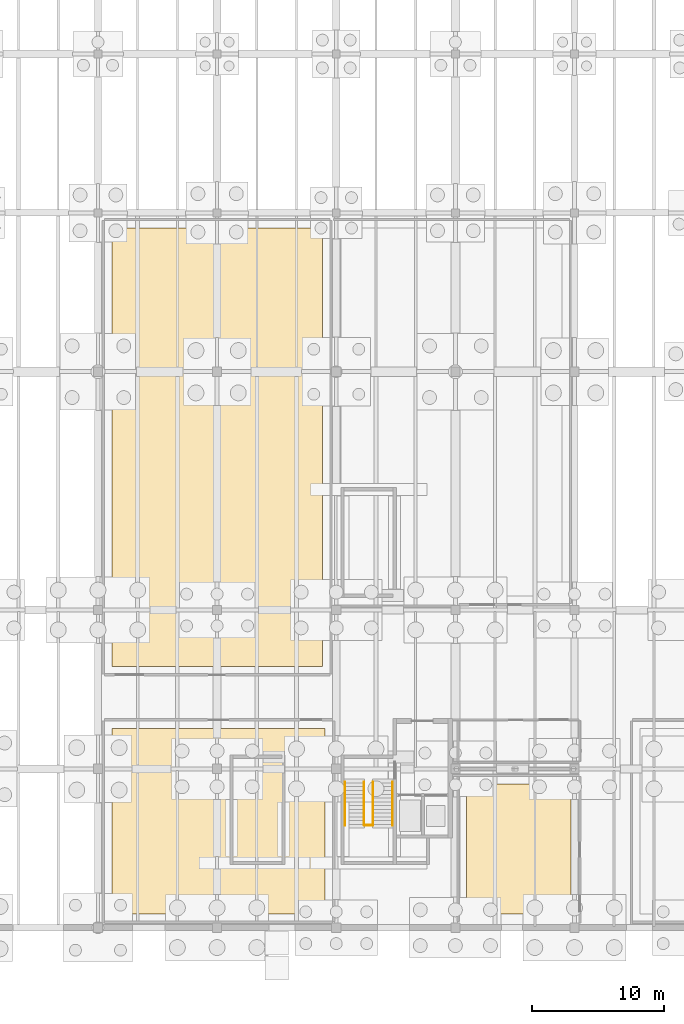
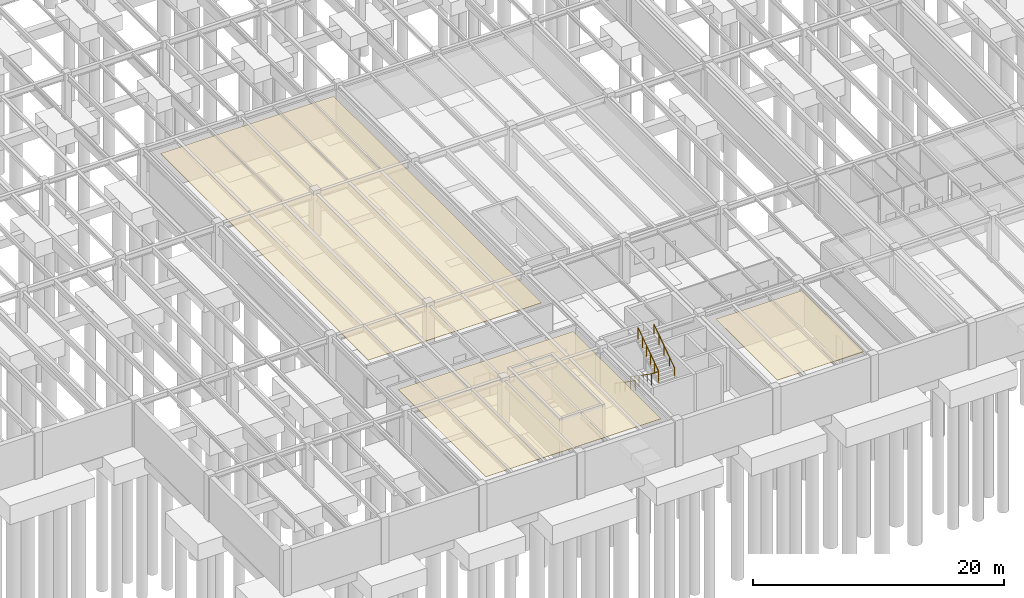
# One storey, part 36 of 40: 5 railings, 3 coverings.
"""IFC4 building model written with IfcOpenShell, lengths in metres."""

from ifc_helpers import new_model, si_unit, direction, frame, origin, origin_2d, place, context, subcontext, project, spatial, polyline, circle, outline, extrude, material, layer, layer_set, type_object, element, save


model = new_model("IFC4")

# Units and contexts
model_context = context("Model", 3, precision=1e-05, world=origin(), true_north=direction((0.0, 1.0)))
body_context = subcontext(model_context, "Body", "Model", "MODEL_VIEW")
ifc_project = project(units=[si_unit("LENGTHUNIT", "METRE"), si_unit("AREAUNIT", "SQUARE_METRE"), si_unit("VOLUMEUNIT", "CUBIC_METRE"), si_unit("PLANEANGLEUNIT", "RADIAN"), si_unit("MASSUNIT", "GRAM", prefix="KILO")], contexts=[model_context])

# Site, building, storey
site_placement = place(None, origin())
site = spatial("IfcSite", under=ifc_project, at=site_placement, CompositionType="ELEMENT")
building_placement = place(site_placement, origin())
building = spatial("IfcBuilding", under=site, at=building_placement, Name="Montelvaro Courts of Justice", CompositionType="ELEMENT")
storey_placement = place(building_placement, frame((0.0, 0.0, -4.5)))
storey = spatial("IfcBuildingStorey", under=building, at=storey_placement, Name="B01", CompositionType="ELEMENT", Elevation=-4.5)

# Coverings
ifc_material_1 = material(Name="Perforated acoustic gypsum ceiling")
ifc_layer = layer(ifc_material_1, 0.0400390625)
ifc_layer_set = layer_set([ifc_layer], Name="Perforated acoustic gypsum ceiling")
covering_type = type_object("IfcCoveringType", Name="AcousticCeiling_Court", PredefinedType="CEILING", material=ifc_layer_set)
covering_1_placement = place(storey_placement, frame((0.0, 0.0, 4.02001953125)))
element("IfcCovering", 1, at=covering_1_placement, inside=storey, type_object=covering_type, Name="Acoustic Ceiling Panel AC-01 (B01-21)", PredefinedType="CEILING", context=body_context, shape_type="SweptSolid", body=[
    extrude(outline(polyline([(37.050048828125, 52.85009765625), (52.949951171875, 52.85009765625), (52.949951171875, 19.75), (37.050048828125, 19.75), (37.050048828125, 52.85009765625)])), origin(), (0.0, 0.0, 1.0), 0.0400390625),
])
covering_2_placement = place(storey_placement, frame((0.0, 0.0, 4.02001953125)))
element("IfcCovering", 2, at=covering_2_placement, inside=storey, type_object=covering_type, Name="Acoustic Ceiling Panel AC-01 (B01-23)", PredefinedType="CEILING", context=body_context, shape_type="SweptSolid", body=[
    extrude(outline(polyline([(37.050048828125, 1.050048828125), (37.050048828125, 15.050048828125), (53.14990234375, 15.050048828125), (53.14990234375, 1.050048828125), (37.050048828125, 1.050048828125)])), origin(), (0.0, 0.0, 1.0), 0.0400390625),
])
covering_3_placement = place(storey_placement, frame((0.0, 0.0, 4.02001953125)))
element("IfcCovering", 3, at=covering_3_placement, inside=storey, type_object=covering_type, Name="Acoustic Ceiling Panel AC-01 (B01-24)", PredefinedType="CEILING", context=body_context, shape_type="SweptSolid", body=[
    extrude(outline(polyline([(63.85009765625, 1.050048828125), (63.85009765625, 10.85009765625), (71.75, 10.85009765625), (71.75, 1.050048828125), (63.85009765625, 1.050048828125)])), origin(), (0.0, 0.0, 1.0), 0.0400390625),
])

# Railings
ifc_material_2 = material(Name="Steel S355", Category="steel")
railing_type_1 = type_object("IfcRailingType", Name="InteriorGuard_1100", PredefinedType="BALUSTRADE", material=ifc_material_2)
railing_1_placement = place(storey_placement, frame((56.110107421875, 11.0, 0.0)))
element("IfcRailing", 4, at=railing_1_placement, inside=storey, type_object=railing_type_1, Name="Stair Well Guard GR-02 ST-K1-B01-F1G", PredefinedType="BALUSTRADE", context=body_context, shape_type="SweptSolid", body=[
    extrude(circle(Radius=0.02392578125, at=origin_2d()), frame((0.0, 0.0, 1.076171875), z_axis=(0.0, -0.823407228882, 0.567450910146), x_axis=(1.0, 0.0, 0.0)), (0.0, 0.0, 1.0), 3.965087890625),
    extrude(circle(Radius=0.02099609375, at=origin_2d()), origin(), (0.0, 0.0, 1.0), 1.052001953125),
    extrude(circle(Radius=0.02099609375, at=origin_2d()), frame((0.0, -0.653076171875, 0.449951171875)), (0.0, 0.0, 1.0), 1.052001953125),
    extrude(circle(Radius=0.02099609375, at=origin_2d()), frame((0.0, -1.305908203125, 0.89990234375)), (0.0, 0.0, 1.0), 1.052001953125),
    extrude(circle(Radius=0.02099609375, at=origin_2d()), frame((0.0, -1.958984375, 1.35009765625)), (0.0, 0.0, 1.0), 1.052001953125),
    extrude(circle(Radius=0.02099609375, at=origin_2d()), frame((0.0, -2.61181640625, 1.800048828125)), (0.0, 0.0, 1.0), 1.052001953125),
    extrude(circle(Radius=0.02099609375, at=origin_2d()), frame((0.0, -3.264892578125, 2.25)), (0.0, 0.0, 1.0), 1.052001953125),
])
railing_2_placement = place(storey_placement, frame((56.7900390625, 7.735107421875, 2.25)))
element("IfcRailing", 5, at=railing_2_placement, inside=storey, type_object=railing_type_1, Name="Stair Well Guard GR-02 ST-K1-B01-F2G", PredefinedType="BALUSTRADE", context=body_context, shape_type="SweptSolid", body=[
    extrude(circle(Radius=0.02392578125, at=origin_2d()), frame((0.0, 0.0, 1.076171875), z_axis=(0.0, 0.823407228882, 0.567450910146), x_axis=(-1.0, 0.0, 0.0)), (0.0, 0.0, 1.0), 3.965087890625),
    extrude(circle(Radius=0.02099609375, at=origin_2d()), origin(), (0.0, 0.0, 1.0), 1.052001953125),
    extrude(circle(Radius=0.02099609375, at=origin_2d()), frame((0.0, 0.653076171875, 0.449951171875)), (0.0, 0.0, 1.0), 1.052001953125),
    extrude(circle(Radius=0.02099609375, at=origin_2d()), frame((0.0, 1.305908203125, 0.89990234375)), (0.0, 0.0, 1.0), 1.052001953125),
    extrude(circle(Radius=0.02099609375, at=origin_2d()), frame((0.0, 1.958984375, 1.35009765625)), (0.0, 0.0, 1.0), 1.052001953125),
    extrude(circle(Radius=0.02099609375, at=origin_2d()), frame((0.0, 2.61181640625, 1.800048828125)), (0.0, 0.0, 1.0), 1.052001953125),
    extrude(circle(Radius=0.02099609375, at=origin_2d()), frame((0.0, 3.264892578125, 2.25)), (0.0, 0.0, 1.0), 1.052001953125),
])
railing_3_placement = place(storey_placement, frame((56.110107421875, 7.735107421875, 2.25)))
element("IfcRailing", 6, at=railing_3_placement, inside=storey, type_object=railing_type_1, Name="Stair Well Guard GR-02 ST-K1-B01-MLG", PredefinedType="BALUSTRADE", context=body_context, shape_type="SweptSolid", body=[
    extrude(circle(Radius=0.02392578125, at=origin_2d()), frame((0.0, 0.0, 1.076171875), z_axis=(1.0, 0.0, 0.0), x_axis=(0.0, 1.0, 0.0)), (0.0, 0.0, 1.0), 0.679931640625),
    extrude(circle(Radius=0.02099609375, at=origin_2d()), origin(), (0.0, 0.0, 1.0), 1.052001953125),
    extrude(circle(Radius=0.02099609375, at=origin_2d()), frame((0.679931640625, 0.0, 0.0)), (0.0, 0.0, 1.0), 1.052001953125),
])
ifc_material_3 = material(Name="Austenitic stainless steel EN 1.4401", Category="steel")
railing_type_2 = type_object("IfcRailingType", Name="StairHandrail_950", PredefinedType="HANDRAIL", material=ifc_material_3)
railing_4_placement = place(storey_placement, frame((54.659912109375, 11.0, 0.0)))
element("IfcRailing", 7, at=railing_4_placement, inside=storey, type_object=railing_type_2, Name="Stair Pitch Handrail HR-01 ST-K1-B01-F1H", PredefinedType="HANDRAIL", context=body_context, shape_type="SweptSolid", body=[
    extrude(circle(Radius=0.02392578125, at=origin_2d()), frame((0.0, 0.0, 0.92578125), z_axis=(0.0, -0.823407228882, 0.567450910146), x_axis=(1.0, 0.0, 0.0)), (0.0, 0.0, 1.0), 3.965087890625),
    extrude(circle(Radius=0.02099609375, at=origin_2d()), origin(), (0.0, 0.0, 1.0), 0.90185546875),
    extrude(circle(Radius=0.02099609375, at=origin_2d()), frame((0.0, -0.816162109375, 0.5625)), (0.0, 0.0, 1.0), 0.90185546875),
    extrude(circle(Radius=0.02099609375, at=origin_2d()), frame((0.0, -1.63232421875, 1.125)), (0.0, 0.0, 1.0), 0.90185546875),
    extrude(circle(Radius=0.02099609375, at=origin_2d()), frame((0.0, -2.44873046875, 1.6875)), (0.0, 0.0, 1.0), 0.90185546875),
    extrude(circle(Radius=0.02099609375, at=origin_2d()), frame((0.0, -3.264892578125, 2.25)), (0.0, 0.0, 1.0), 0.90185546875),
])
railing_5_placement = place(storey_placement, frame((58.239990234375, 7.735107421875, 2.25)))
element("IfcRailing", 8, at=railing_5_placement, inside=storey, type_object=railing_type_2, Name="Stair Pitch Handrail HR-01 ST-K1-B01-F2H", PredefinedType="HANDRAIL", context=body_context, shape_type="SweptSolid", body=[
    extrude(circle(Radius=0.02392578125, at=origin_2d()), frame((0.0, 0.0, 0.92578125), z_axis=(0.0, 0.823407228882, 0.567450910146), x_axis=(-1.0, 0.0, 0.0)), (0.0, 0.0, 1.0), 3.965087890625),
    extrude(circle(Radius=0.02099609375, at=origin_2d()), origin(), (0.0, 0.0, 1.0), 0.90185546875),
    extrude(circle(Radius=0.02099609375, at=origin_2d()), frame((0.0, 0.816162109375, 0.5625)), (0.0, 0.0, 1.0), 0.90185546875),
    extrude(circle(Radius=0.02099609375, at=origin_2d()), frame((0.0, 1.63232421875, 1.125)), (0.0, 0.0, 1.0), 0.90185546875),
    extrude(circle(Radius=0.02099609375, at=origin_2d()), frame((0.0, 2.44873046875, 1.6875)), (0.0, 0.0, 1.0), 0.90185546875),
    extrude(circle(Radius=0.02099609375, at=origin_2d()), frame((0.0, 3.264892578125, 2.25)), (0.0, 0.0, 1.0), 0.90185546875),
])

save(model, "model.ifc")
